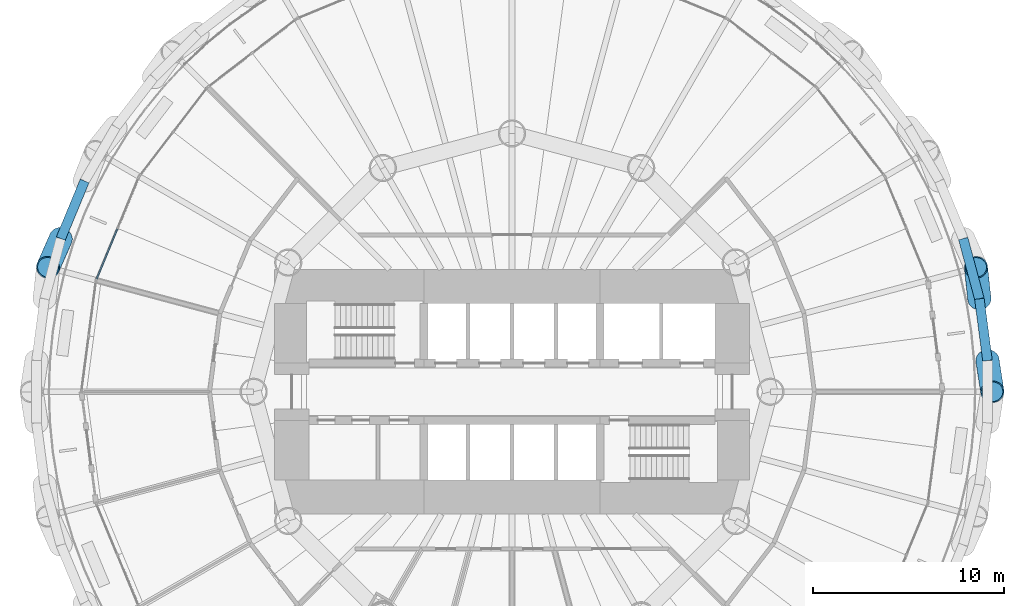
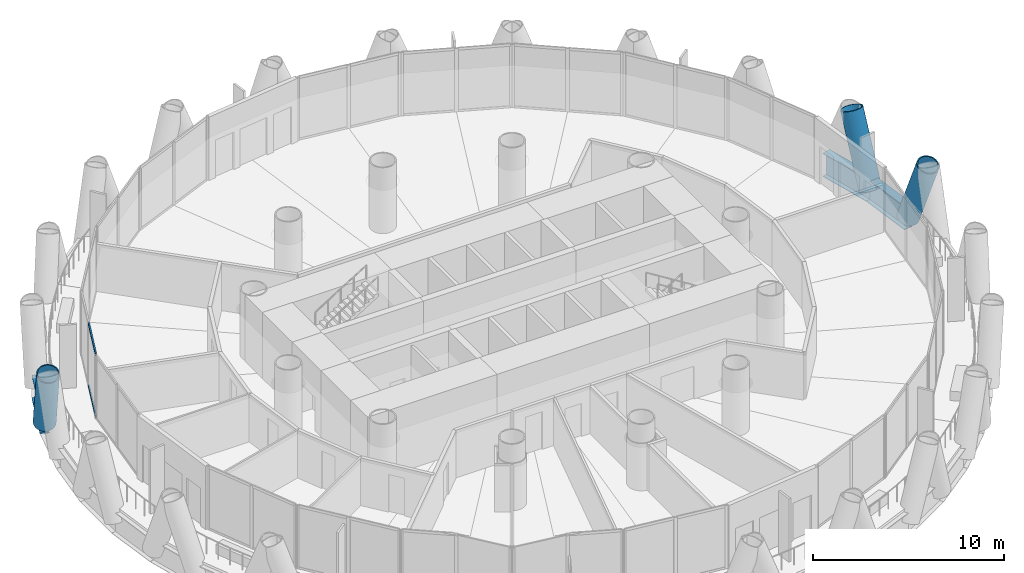
# One storey, part 5 of 16: 5 members, 3 beams, 1 element without a shape of its own.
"""IFC4 building model written with IfcOpenShell, lengths in metres."""

from ifc_helpers import new_model, si_unit, direction, frame, origin, origin_2d, place, context, subcontext, project, spatial, rectangle, hollow_circle, i_section, extrude, material, material_profile, profile_set, type_object, element, aggregate, save


model = new_model("IFC4")

# Units and contexts
model_context = context("Model", 3, precision=1e-05, world=origin(), true_north=direction((0.0, 1.0)))
body_context = subcontext(model_context, "Body", "Model", "MODEL_VIEW")
ifc_project = project(units=[si_unit("LENGTHUNIT", "METRE"), si_unit("AREAUNIT", "SQUARE_METRE"), si_unit("VOLUMEUNIT", "CUBIC_METRE"), si_unit("PLANEANGLEUNIT", "RADIAN"), si_unit("MASSUNIT", "GRAM", prefix="KILO")], contexts=[model_context])

# Site, building, storey
site_placement = place(None, origin())
site = spatial("IfcSite", under=ifc_project, at=site_placement, CompositionType="ELEMENT")
building_placement = place(site_placement, origin())
building = spatial("IfcBuilding", under=site, at=building_placement, Name="Qaws Media Tower", CompositionType="ELEMENT")
storey_placement = place(building_placement, frame((0.0, 0.0, 55.39990234375)))
storey = spatial("IfcBuildingStorey", under=building, at=storey_placement, Name="L11", CompositionType="ELEMENT", Elevation=55.39990234375)

# Curtain wall, members
ifc_material_1 = material(Name="Aluminium and clear glass", Category="aluminium")
curtain_wall_type = type_object("IfcCurtainWallType", Name="Unitised curtain wall CW-A", PredefinedType="NOTDEFINED", material=ifc_material_1)
curtain_wall_placement = place(storey_placement, origin())
curtain_wall = element("IfcCurtainWall", 1, at=curtain_wall_placement, inside=storey, type_object=curtain_wall_type, Name="CWA curtain wall L11-11", PredefinedType="NOTDEFINED")
ifc_material_2 = material(Name="Aluminium transom", Category="aluminium")
ifc_material_profile_1 = material_profile(ifc_material_2, rectangle(XDim=0.080078125, YDim=0.159912109375, at=origin_2d()), Name="80x160")
ifc_profile_set_1 = profile_set([ifc_material_profile_1], Name="Aluminium transom")
member_type_1 = type_object("IfcMemberType", Name="Curtain wall transom 80x160", PredefinedType="USERDEFINED", material=ifc_profile_set_1)
member_1_placement = place(storey_placement, frame((39.375244140625, 58.499755859375, 0.0400390625), z_axis=(-0.382675859369, -0.923882669313, 0.0), x_axis=(0.923882669313, -0.382675859369, 0.0)))
member_1 = element("IfcMember", 2, at=member_1_placement, type_object=member_type_1, Name="CWA transom 2.1", ObjectType="TRANSOM", PredefinedType="USERDEFINED", context=body_context, shape_type="SweptSolid", body=[
    extrude(rectangle(XDim=0.080078125, YDim=0.159912109375, at=origin_2d()), origin(), (0.0, 0.0, 1.0), 2.816650390625),
])
member_2_placement = place(storey_placement, frame((39.375244140625, 58.499755859375, 4.0), z_axis=(-0.382675859369, -0.923882669313, 0.0), x_axis=(0.923882669313, -0.382675859369, 0.0)))
member_2 = element("IfcMember", 3, at=member_2_placement, type_object=member_type_1, Name="CWA transom 2.2", ObjectType="TRANSOM", PredefinedType="USERDEFINED", context=body_context, shape_type="SweptSolid", body=[
    extrude(rectangle(XDim=0.080078125, YDim=0.159912109375, at=origin_2d()), origin(), (0.0, 0.0, 1.0), 2.816650390625),
])
aggregate(curtain_wall, [member_1, member_2])

# Members
ifc_material_3 = material(Name="Steel S460", Category="steel")
ifc_material_profile_2 = material_profile(ifc_material_3, hollow_circle(Radius=0.609619140625, WallThickness=0.06005859375, at=origin_2d()), Name="CHS 1219x60")
ifc_profile_set_2 = profile_set([ifc_material_profile_2], Name="Steel S460")
member_type_2 = type_object("IfcMemberType", Name="Diagrid member CHS 1219x60", PredefinedType="USERDEFINED", material=ifc_profile_set_2)
for number, where, z_axis, x_axis, name in (
    (4, (84.421630859375, 54.857666015625, -0.909912109375), (-0.039231063086, 0.363198476456, 0.930885487259), (-0.994216882769, -0.107390828368, 0.0), "DG1 diagrid L11 A01"),
    (5, (84.8466796875, 51.62841796875, -0.909912109375), (0.056168900823, -0.360931183514, 0.930899422788), (0.988106466928, 0.153771291255, 0.0), "DG1 diagrid L11 B01"),
    (6, (36.42138671875, 58.00390625, -0.909912109375), (-0.147617876658, -0.334142371102, 0.930890884221), (0.914713346235, -0.404103321219, 0.0), "DG1 diagrid L11 A11"),
):
    element("IfcMember", number, at=place(storey_placement, frame(where, z_axis=z_axis, x_axis=x_axis)), inside=storey, type_object=member_type_2, Name=name, ObjectType="DIAGRID", PredefinedType="USERDEFINED", context=body_context, shape_type="SweptSolid", body=[
        extrude(hollow_circle(Radius=0.609619140625, WallThickness=0.06005859375, at=origin_2d()), origin(), (0.0, 0.0, 1.0), 4.51171875),
    ])

# Beams
ifc_material_4 = material(Name="Steel S460", Category="steel")
ifc_material_profile_3 = material_profile(ifc_material_4, i_section(OverallWidth=0.5, OverallDepth=1.5, WebThickness=0.02001953125, FlangeThickness=0.0400390625, at=origin_2d()), Name="PG 1500x500")
ifc_profile_set_3 = profile_set([ifc_material_profile_3], Name="Steel S460")
beam_type = type_object("IfcBeamType", Name="Edge ring beam PG 1500x500", PredefinedType="BEAM", material=ifc_profile_set_3)
beam_1_placement = place(storey_placement, frame((84.8466796875, 51.62841796875, -0.909912109375), z_axis=(-0.130499108697, 0.991448426611, 0.0), x_axis=(-0.991448426611, -0.130499108697, 0.0)))
element("IfcBeam", 7, at=beam_1_placement, inside=storey, type_object=beam_type, Name="RB4 edge ring beam L11-01", PredefinedType="BEAM", context=body_context, shape_type="SweptSolid", body=[
    extrude(i_section(OverallWidth=0.5, OverallDepth=1.5, WebThickness=0.02001953125, FlangeThickness=0.0400390625, at=origin_2d()), origin(), (0.0, 0.0, 1.0), 3.257080078125),
])
beam_2_placement = place(storey_placement, frame((84.421630859375, 54.857666015625, -0.909912109375), z_axis=(-0.258814762224, 0.965926973873, 0.0), x_axis=(-0.965926973873, -0.258814762224, 0.0)))
element("IfcBeam", 8, at=beam_2_placement, inside=storey, type_object=beam_type, Name="RB4 edge ring beam L11-02", PredefinedType="BEAM", context=body_context, shape_type="SweptSolid", body=[
    extrude(i_section(OverallWidth=0.5, OverallDepth=1.5, WebThickness=0.02001953125, FlangeThickness=0.0400390625, at=origin_2d()), origin(), (0.0, 0.0, 1.0), 3.25732421875),
])
beam_3_placement = place(storey_placement, frame((37.66796875, 61.012939453125, -0.909912109375), z_axis=(-0.382735757959, -0.923857856805, 0.0), x_axis=(0.923857856805, -0.382735757959, 0.0)))
element("IfcBeam", 9, at=beam_3_placement, inside=storey, type_object=beam_type, Name="RB4 edge ring beam L11-21", PredefinedType="BEAM", context=body_context, shape_type="SweptSolid", body=[
    extrude(i_section(OverallWidth=0.5, OverallDepth=1.5, WebThickness=0.02001953125, FlangeThickness=0.0400390625, at=origin_2d()), origin(), (0.0, 0.0, 1.0), 3.257080078125),
])

save(model, "model.ifc")
